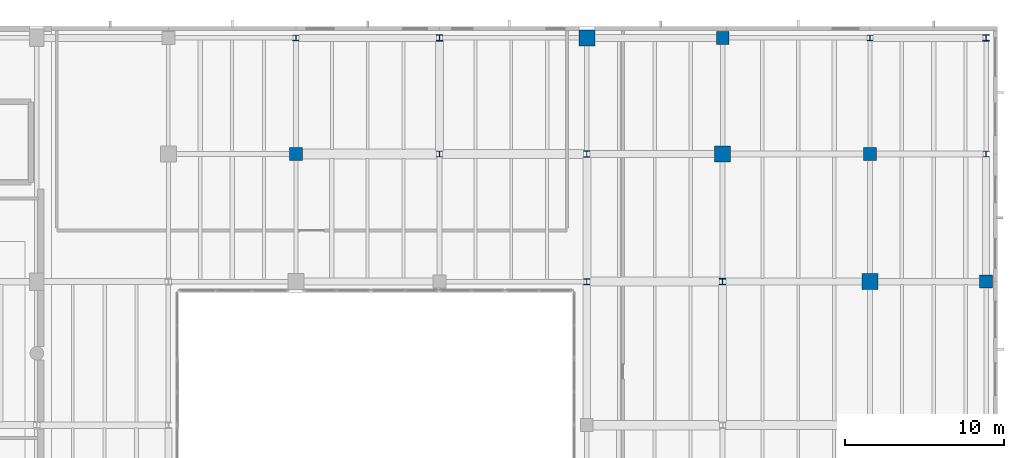
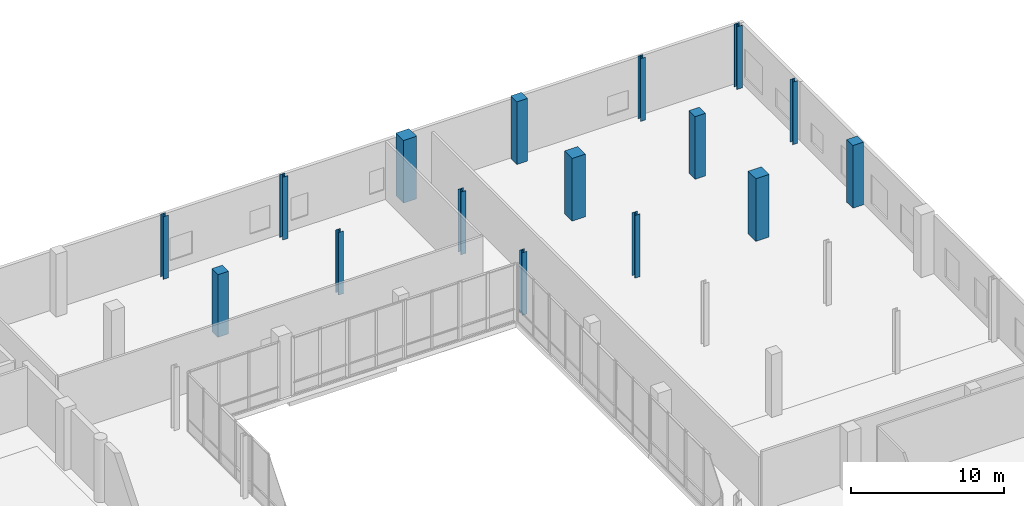
# One storey, part 16 of 88: 16 columns.
"""IFC4 building model written with IfcOpenShell, lengths in metres."""

from ifc_helpers import new_model, si_unit, direction, frame, origin, origin_2d, place, context, subcontext, project, spatial, rectangle, i_section, extrude, material, material_profile, profile_set, type_object, element, save


model = new_model("IFC4")

# Units and contexts
model_context = context("Model", 3, precision=1e-05, world=origin(), true_north=direction((0.0, 1.0)))
body_context = subcontext(model_context, "Body", "Model", "MODEL_VIEW")
ifc_project = project(units=[si_unit("LENGTHUNIT", "METRE"), si_unit("AREAUNIT", "SQUARE_METRE"), si_unit("VOLUMEUNIT", "CUBIC_METRE"), si_unit("PLANEANGLEUNIT", "RADIAN"), si_unit("MASSUNIT", "GRAM", prefix="KILO")], contexts=[model_context])

# Site, building, storey
site_placement = place(None, origin())
site = spatial("IfcSite", under=ifc_project, at=site_placement, CompositionType="ELEMENT")
building_placement = place(site_placement, origin())
building = spatial("IfcBuilding", under=site, at=building_placement, Name="Trimount Lyric Opera House", CompositionType="ELEMENT")
storey_placement = place(building_placement, origin())
storey = spatial("IfcBuildingStorey", under=building, at=storey_placement, Name="L00", CompositionType="ELEMENT", Elevation=0.0)

# Columns
ifc_material_1 = material(Name="Steel ASTM A992 Grade 50", Category="steel")
ifc_material_profile_1 = material_profile(ifc_material_1, i_section(OverallWidth=0.39892578125, OverallDepth=0.385986328125, WebThickness=0.02099609375, FlangeThickness=0.033203125, FilletRadius=0.01611328125, at=origin_2d()), Name="W14X176")
ifc_profile_set_1 = profile_set([ifc_material_profile_1], Name="Steel ASTM A992 Grade 50")
column_type_1 = type_object("IfcColumnType", Name="C-03", PredefinedType="COLUMN", material=ifc_profile_set_1)
for number, where, z_axis, x_axis, name in (
    (1, (139.0, 117.280029296875, 0.0), (0.0, 0.0, 1.0), (1.0, 0.0, 0.0), "L00 column 16/P"),
    (2, (148.239990234375, 110.0, 0.0), (0.0, 0.0, 1.0), (1.0, 0.0, 0.0), "L00 column 17/N"),
    (3, (156.760009765625, 102.0, 0.0), (0.0, 0.0, 1.0), (1.0, 0.0, 0.0), "L00 column 18/M"),
    (4, (173.280029296875, 117.280029296875, 0.0), (0.0, 0.0, 1.0), (1.0, 0.0, 0.0), "L00 column 20/P"),
):
    element("IfcColumn", number, at=place(storey_placement, frame(where, z_axis=z_axis, x_axis=x_axis)), inside=storey, type_object=column_type_1, Name=name, PredefinedType="COLUMN", context=body_context, shape_type="SweptSolid", body=[
        extrude(i_section(OverallWidth=0.39892578125, OverallDepth=0.385986328125, WebThickness=0.02099609375, FlangeThickness=0.033203125, FilletRadius=0.01611328125, at=origin_2d()), origin(), (0.0, 0.0, 1.0), 5.0),
    ])
ifc_material_2 = material(Name="Steel ASTM A992 Grade 50", Category="steel")
ifc_material_profile_2 = material_profile(ifc_material_2, i_section(OverallWidth=0.373046875, OverallDepth=0.367919921875, WebThickness=0.014892578125, FlangeThickness=0.02392578125, FilletRadius=0.014892578125, at=origin_2d()), Name="W14X120")
ifc_profile_set_2 = profile_set([ifc_material_profile_2], Name="Steel ASTM A992 Grade 50")
column_type_2 = type_object("IfcColumnType", Name="C-08", PredefinedType="COLUMN", material=ifc_profile_set_2)
for number, where, z_axis, x_axis, name in (
    (5, (130.0, 117.280029296875, 0.0), (0.0, 0.0, 1.0), (1.0, 0.0, 0.0), "L00 column 15/P"),
    (6, (139.0, 110.0, 0.0), (0.0, 0.0, 1.0), (1.0, 0.0, 0.0), "L00 column 16/N"),
    (7, (148.239990234375, 102.0, 0.0), (0.0, 0.0, 1.0), (1.0, 0.0, 0.0), "L00 column 17/M"),
    (8, (166.0, 117.280029296875, 0.0), (0.0, 0.0, 1.0), (1.0, 0.0, 0.0), "L00 column 19/P"),
    (9, (173.280029296875, 110.0, 0.0), (0.0, 0.0, 1.0), (1.0, 0.0, 0.0), "L00 column 20/N"),
):
    element("IfcColumn", number, at=place(storey_placement, frame(where, z_axis=z_axis, x_axis=x_axis)), inside=storey, type_object=column_type_2, Name=name, PredefinedType="COLUMN", context=body_context, shape_type="SweptSolid", body=[
        extrude(i_section(OverallWidth=0.373046875, OverallDepth=0.367919921875, WebThickness=0.014892578125, FlangeThickness=0.02392578125, FilletRadius=0.014892578125, at=origin_2d()), origin(), (0.0, 0.0, 1.0), 5.0),
    ])
ifc_material_3 = material(Name="Concrete C50/60", Category="concrete")
ifc_material_profile_3 = material_profile(ifc_material_3, rectangle(XDim=1.0, YDim=1.0, at=origin_2d()), Name="RC1000X1000")
ifc_profile_set_3 = profile_set([ifc_material_profile_3], Name="Concrete C50/60")
column_type_3 = type_object("IfcColumnType", Name="C-12", PredefinedType="COLUMN", material=ifc_profile_set_3)
for number, where, z_axis, x_axis, name in (
    (10, (148.239990234375, 117.280029296875, 0.0), (0.0, 0.0, 1.0), (1.0, 0.0, 0.0), "L00 column 17/P"),
    (11, (156.760009765625, 110.0, 0.0), (0.0, 0.0, 1.0), (1.0, 0.0, 0.0), "L00 column 18/N"),
    (12, (166.0, 102.0, 0.0), (0.0, 0.0, 1.0), (1.0, 0.0, 0.0), "L00 column 19/M"),
):
    element("IfcColumn", number, at=place(storey_placement, frame(where, z_axis=z_axis, x_axis=x_axis)), inside=storey, type_object=column_type_3, Name=name, PredefinedType="COLUMN", context=body_context, shape_type="SweptSolid", body=[
        extrude(rectangle(XDim=1.0, YDim=1.0, at=origin_2d()), origin(), (0.0, 0.0, 1.0), 5.0),
    ])
ifc_material_4 = material(Name="Concrete C40/50", Category="concrete")
ifc_material_profile_4 = material_profile(ifc_material_4, rectangle(XDim=0.800048828125, YDim=0.800048828125, at=origin_2d()), Name="RC800X800")
ifc_profile_set_4 = profile_set([ifc_material_profile_4], Name="Concrete C40/50")
column_type_4 = type_object("IfcColumnType", Name="C-14", PredefinedType="COLUMN", material=ifc_profile_set_4)
for number, where, z_axis, x_axis, name in (
    (13, (130.0, 110.0, 0.0), (0.0, 0.0, 1.0), (1.0, 0.0, 0.0), "L00 column 15/N"),
    (14, (156.760009765625, 117.280029296875, 0.0), (0.0, 0.0, 1.0), (1.0, 0.0, 0.0), "L00 column 18/P"),
    (15, (166.0, 110.0, 0.0), (0.0, 0.0, 1.0), (1.0, 0.0, 0.0), "L00 column 19/N"),
    (16, (173.280029296875, 102.0, 0.0), (0.0, 0.0, 1.0), (1.0, 0.0, 0.0), "L00 column 20/M"),
):
    element("IfcColumn", number, at=place(storey_placement, frame(where, z_axis=z_axis, x_axis=x_axis)), inside=storey, type_object=column_type_4, Name=name, PredefinedType="COLUMN", context=body_context, shape_type="SweptSolid", body=[
        extrude(rectangle(XDim=0.800048828125, YDim=0.800048828125, at=origin_2d()), origin(), (0.0, 0.0, 1.0), 5.0),
    ])

save(model, "model.ifc")
